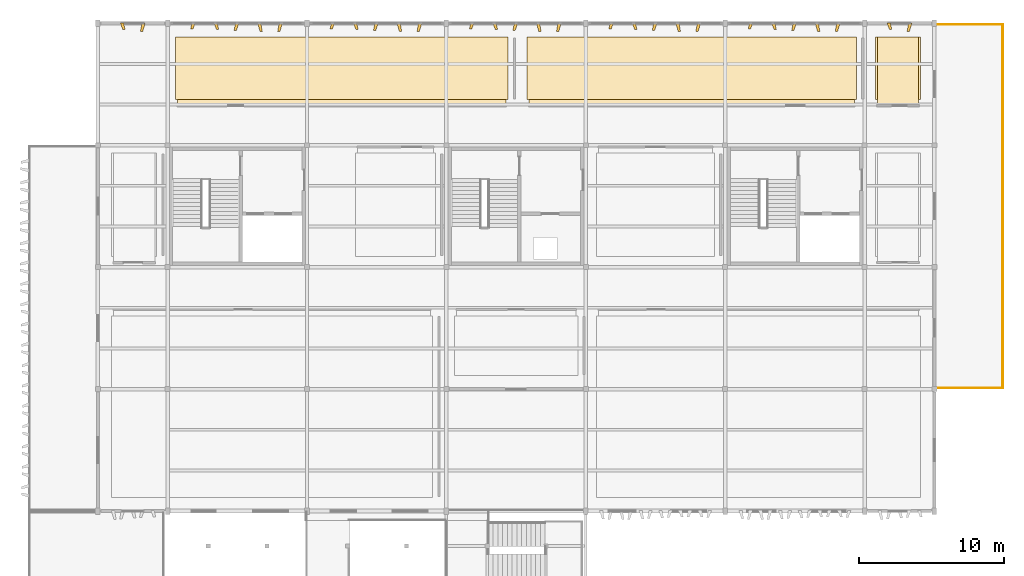
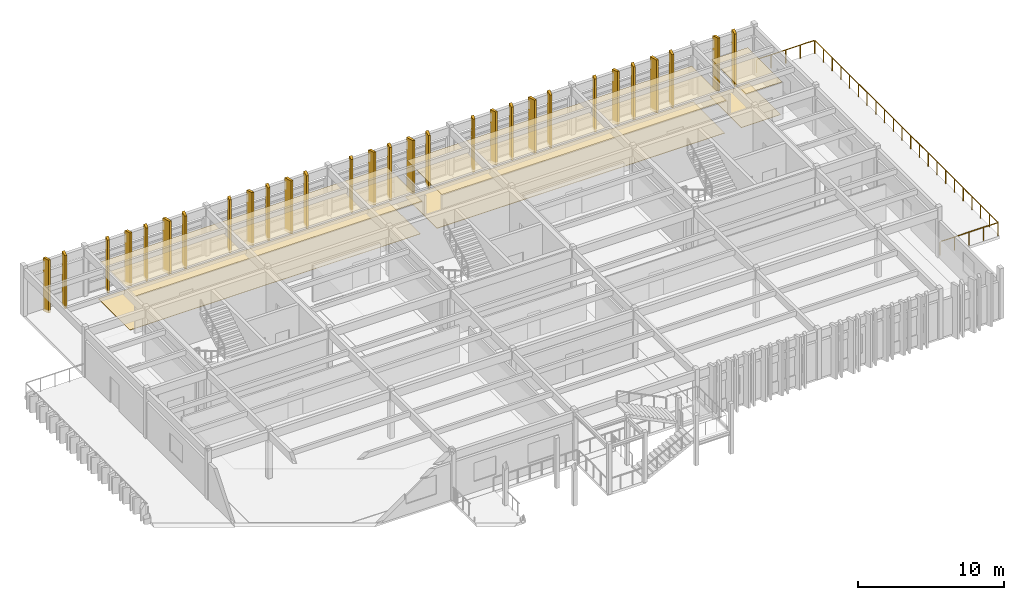
# One storey, part 14 of 14: 35 coverings, 3 railings.
"""IFC4 building model written with IfcOpenShell, lengths in metres."""

from ifc_helpers import new_model, si_unit, direction, frame, origin, origin_2d, place, context, subcontext, project, spatial, polyline, circle, outline, extrude, material, layer, layer_set, type_object, element, save


model = new_model("IFC4")

# Units and contexts
model_context = context("Model", 3, precision=1e-05, world=origin(), true_north=direction((0.0, 1.0)))
body_context = subcontext(model_context, "Body", "Model", "MODEL_VIEW")
ifc_project = project(units=[si_unit("LENGTHUNIT", "METRE"), si_unit("AREAUNIT", "SQUARE_METRE"), si_unit("VOLUMEUNIT", "CUBIC_METRE"), si_unit("PLANEANGLEUNIT", "RADIAN"), si_unit("MASSUNIT", "GRAM", prefix="KILO")], contexts=[model_context])

# Site, building, storey
site_placement = place(None, origin())
site = spatial("IfcSite", under=ifc_project, at=site_placement, CompositionType="ELEMENT")
building_placement = place(site_placement, origin())
building = spatial("IfcBuilding", under=site, at=building_placement, Name="Kolvemor Railside Polytechnic", CompositionType="ELEMENT")
storey_placement = place(building_placement, frame((0.0, 0.0, 22.800048828125)))
storey = spatial("IfcBuildingStorey", under=building, at=storey_placement, Name="L05", CompositionType="ELEMENT", Elevation=22.800048828125)

# Coverings
ifc_material_1 = material(Name="Perforated acoustic mineral-fibre and timber-slat ceiling", Category="wood")
ifc_layer_1 = layer(ifc_material_1, 0.030029296875, Name="COV-CEIL-2")
ifc_layer_set_1 = layer_set([ifc_layer_1], Name="Perforated acoustic mineral-fibre and timber-slat ceiling")
covering_type_1 = type_object("IfcCoveringType", Name="COV-CEIL-2", PredefinedType="CEILING", material=ifc_layer_set_1)
covering_1_placement = place(storey_placement, frame((0.0, 0.0, 3.02001953125)))
element("IfcCovering", 1, at=covering_1_placement, inside=storey, type_object=covering_type_1, Name="Graduate Research Fellows Write-Up Room Acoustic Ceiling", PredefinedType="CEILING", context=body_context, shape_type="SweptSolid", body=[
    extrude(outline(polyline([(116.080078125, 32.719970703125), (118.919921875, 32.719970703125), (118.919921875, 37.449951171875), (116.080078125, 37.449951171875), (116.080078125, 32.719970703125)])), origin(), (0.0, 0.0, 1.0), 0.030029296875),
])
ifc_material_2 = material(Name="Perforated acoustic mineral-fibre and timber-slat ceiling", Category="wood")
ifc_layer_2 = layer(ifc_material_2, 0.034912109375, Name="COV-CEIL-3")
ifc_layer_set_2 = layer_set([ifc_layer_2], Name="Perforated acoustic mineral-fibre and timber-slat ceiling")
covering_type_2 = type_object("IfcCoveringType", Name="COV-CEIL-3", PredefinedType="CEILING", material=ifc_layer_set_2)
covering_2_placement = place(storey_placement, frame((0.0, 0.0, 3.014892578125)))
element("IfcCovering", 2, at=covering_2_placement, inside=storey, type_object=covering_type_2, Name="Seminar Room 502 Acoustic Ceiling", PredefinedType="CEILING", context=body_context, shape_type="SweptSolid", body=[
    extrude(outline(polyline([(67.8798828125, 32.719970703125), (90.52001953125, 32.719970703125), (90.52001953125, 37.449951171875), (67.8798828125, 37.449951171875), (67.8798828125, 32.719970703125)])), origin(), (0.0, 0.0, 1.0), 0.03515625),
])
ifc_material_3 = material(Name="Perforated acoustic mineral-fibre and timber-slat ceiling", Category="wood")
ifc_layer_3 = layer(ifc_material_3, 0.0400390625, Name="COV-CEIL-4")
ifc_layer_set_3 = layer_set([ifc_layer_3], Name="Perforated acoustic mineral-fibre and timber-slat ceiling")
covering_type_3 = type_object("IfcCoveringType", Name="COV-CEIL-4", PredefinedType="CEILING", material=ifc_layer_set_3)
covering_3_placement = place(storey_placement, frame((0.0, 0.0, 3.010009765625)))
element("IfcCovering", 3, at=covering_3_placement, inside=storey, type_object=covering_type_3, Name="Materials Informatics Laboratory Acoustic Ceiling", PredefinedType="CEILING", context=body_context, shape_type="SweptSolid", body=[
    extrude(outline(polyline([(92.080078125, 32.719970703125), (114.52001953125, 32.719970703125), (114.52001953125, 37.449951171875), (92.080078125, 37.449951171875), (92.080078125, 32.719970703125)])), origin(), (0.0, 0.0, 1.0), 0.0400390625),
])
ifc_material_4 = material(Name="Sea-mist PVDF-anodised marine aluminium 5052-H32", Category="aluminium")
ifc_layer_4 = layer(ifc_material_4, 0.159912109375, Name="COV-FIN-MIST")
ifc_layer_set_4 = layer_set([ifc_layer_4], Name="Sea-mist PVDF-anodised marine aluminium 5052-H32")
covering_type_4 = type_object("IfcCoveringType", Name="COV-FIN-MIST", PredefinedType="CLADDING", material=ifc_layer_set_4)
covering_4_placement = place(storey_placement, frame((0.0, 0.0, -0.22998046875)))
element("IfcCovering", 4, at=covering_4_placement, inside=storey, type_object=covering_type_4, Name="Pleated Solar Fin L05-0590", PredefinedType="CLADDING", context=body_context, shape_type="SweptSolid", body=[
    extrude(outline(polyline([(65.6650390625, 38.43505859375), (65.43505859375, 38.43505859375), (65.330078125, 37.847900390625), (65.489990234375, 37.847900390625), (65.6650390625, 38.43505859375)])), origin(), (0.0, 0.0, 1.0), 4.429931640625),
])
covering_5_placement = place(storey_placement, frame((0.0, 0.0, -0.22998046875)))
element("IfcCovering", 5, at=covering_5_placement, inside=storey, type_object=covering_type_4, Name="Pleated Solar Fin L05-0591", PredefinedType="CLADDING", context=body_context, shape_type="SweptSolid", body=[
    extrude(outline(polyline([(64.1650390625, 38.43505859375), (63.93505859375, 38.43505859375), (64.110107421875, 37.98193359375), (64.27001953125, 37.98193359375), (64.1650390625, 38.43505859375)])), origin(), (0.0, 0.0, 1.0), 4.429931640625),
])
covering_6_placement = place(storey_placement, frame((0.0, 0.0, -0.22998046875)))
element("IfcCovering", 6, at=covering_6_placement, inside=storey, type_object=covering_type_4, Name="Pleated Solar Fin L05-0592", PredefinedType="CLADDING", context=body_context, shape_type="SweptSolid", body=[
    extrude(outline(polyline([(75.114990234375, 38.43505859375), (74.885009765625, 38.43505859375), (74.780029296875, 37.841064453125), (74.93994140625, 37.841064453125), (75.114990234375, 38.43505859375)])), origin(), (0.0, 0.0, 1.0), 4.429931640625),
])
covering_7_placement = place(storey_placement, frame((0.0, 0.0, -0.22998046875)))
element("IfcCovering", 7, at=covering_7_placement, inside=storey, type_object=covering_type_4, Name="Pleated Solar Fin L05-0593", PredefinedType="CLADDING", context=body_context, shape_type="SweptSolid", body=[
    extrude(outline(polyline([(73.614990234375, 38.43505859375), (73.385009765625, 38.43505859375), (73.56005859375, 37.847900390625), (73.719970703125, 37.847900390625), (73.614990234375, 38.43505859375)])), origin(), (0.0, 0.0, 1.0), 4.429931640625),
])
covering_8_placement = place(storey_placement, frame((0.0, 0.0, -0.22998046875)))
element("IfcCovering", 8, at=covering_8_placement, inside=storey, type_object=covering_type_4, Name="Pleated Solar Fin L05-0594", PredefinedType="CLADDING", context=body_context, shape_type="SweptSolid", body=[
    extrude(outline(polyline([(72.114990234375, 38.43505859375), (71.885009765625, 38.43505859375), (71.780029296875, 37.9150390625), (71.93994140625, 37.9150390625), (72.114990234375, 38.43505859375)])), origin(), (0.0, 0.0, 1.0), 4.429931640625),
])
covering_9_placement = place(storey_placement, frame((0.0, 0.0, -0.22998046875)))
element("IfcCovering", 9, at=covering_9_placement, inside=storey, type_object=covering_type_4, Name="Pleated Solar Fin L05-0595", PredefinedType="CLADDING", context=body_context, shape_type="SweptSolid", body=[
    extrude(outline(polyline([(70.614990234375, 38.43505859375), (70.385009765625, 38.43505859375), (70.56005859375, 37.98193359375), (70.719970703125, 37.98193359375), (70.614990234375, 38.43505859375)])), origin(), (0.0, 0.0, 1.0), 4.429931640625),
])
covering_10_placement = place(storey_placement, frame((0.0, 0.0, -0.22998046875)))
element("IfcCovering", 10, at=covering_10_placement, inside=storey, type_object=covering_type_4, Name="Pleated Solar Fin L05-0596", PredefinedType="CLADDING", context=body_context, shape_type="SweptSolid", body=[
    extrude(outline(polyline([(69.114990234375, 38.43505859375), (68.885009765625, 38.43505859375), (68.780029296875, 37.989013671875), (68.93994140625, 37.989013671875), (69.114990234375, 38.43505859375)])), origin(), (0.0, 0.0, 1.0), 4.429931640625),
])
covering_11_placement = place(storey_placement, frame((0.0, 0.0, -0.22998046875)))
element("IfcCovering", 11, at=covering_11_placement, inside=storey, type_object=covering_type_4, Name="Pleated Solar Fin L05-0597", PredefinedType="CLADDING", context=body_context, shape_type="SweptSolid", body=[
    extrude(outline(polyline([(84.715087890625, 38.43505859375), (84.485107421875, 38.43505859375), (84.3798828125, 37.841064453125), (84.5400390625, 37.841064453125), (84.715087890625, 38.43505859375)])), origin(), (0.0, 0.0, 1.0), 4.429931640625),
])
covering_12_placement = place(storey_placement, frame((0.0, 0.0, -0.22998046875)))
element("IfcCovering", 12, at=covering_12_placement, inside=storey, type_object=covering_type_4, Name="Pleated Solar Fin L05-0598", PredefinedType="CLADDING", context=body_context, shape_type="SweptSolid", body=[
    extrude(outline(polyline([(83.215087890625, 38.43505859375), (82.985107421875, 38.43505859375), (83.159912109375, 37.847900390625), (83.320068359375, 37.847900390625), (83.215087890625, 38.43505859375)])), origin(), (0.0, 0.0, 1.0), 4.429931640625),
])
covering_13_placement = place(storey_placement, frame((0.0, 0.0, -0.22998046875)))
element("IfcCovering", 13, at=covering_13_placement, inside=storey, type_object=covering_type_4, Name="Pleated Solar Fin L05-0599", PredefinedType="CLADDING", context=body_context, shape_type="SweptSolid", body=[
    extrude(outline(polyline([(81.715087890625, 38.43505859375), (81.485107421875, 38.43505859375), (81.3798828125, 37.9150390625), (81.5400390625, 37.9150390625), (81.715087890625, 38.43505859375)])), origin(), (0.0, 0.0, 1.0), 4.429931640625),
])
covering_14_placement = place(storey_placement, frame((0.0, 0.0, -0.22998046875)))
element("IfcCovering", 14, at=covering_14_placement, inside=storey, type_object=covering_type_4, Name="Pleated Solar Fin L05-0600", PredefinedType="CLADDING", context=body_context, shape_type="SweptSolid", body=[
    extrude(outline(polyline([(80.215087890625, 38.43505859375), (79.985107421875, 38.43505859375), (80.159912109375, 37.98193359375), (80.320068359375, 37.98193359375), (80.215087890625, 38.43505859375)])), origin(), (0.0, 0.0, 1.0), 4.429931640625),
])
covering_15_placement = place(storey_placement, frame((0.0, 0.0, -0.22998046875)))
element("IfcCovering", 15, at=covering_15_placement, inside=storey, type_object=covering_type_4, Name="Pleated Solar Fin L05-0601", PredefinedType="CLADDING", context=body_context, shape_type="SweptSolid", body=[
    extrude(outline(polyline([(78.715087890625, 38.43505859375), (78.485107421875, 38.43505859375), (78.3798828125, 37.989013671875), (78.5400390625, 37.989013671875), (78.715087890625, 38.43505859375)])), origin(), (0.0, 0.0, 1.0), 4.429931640625),
])
covering_16_placement = place(storey_placement, frame((0.0, 0.0, -0.22998046875)))
element("IfcCovering", 16, at=covering_16_placement, inside=storey, type_object=covering_type_4, Name="Pleated Solar Fin L05-0602", PredefinedType="CLADDING", context=body_context, shape_type="SweptSolid", body=[
    extrude(outline(polyline([(94.31494140625, 38.43505859375), (94.0849609375, 38.43505859375), (93.97998046875, 37.841064453125), (94.139892578125, 37.841064453125), (94.31494140625, 38.43505859375)])), origin(), (0.0, 0.0, 1.0), 4.429931640625),
])
covering_17_placement = place(storey_placement, frame((0.0, 0.0, -0.22998046875)))
element("IfcCovering", 17, at=covering_17_placement, inside=storey, type_object=covering_type_4, Name="Pleated Solar Fin L05-0603", PredefinedType="CLADDING", context=body_context, shape_type="SweptSolid", body=[
    extrude(outline(polyline([(92.81494140625, 38.43505859375), (92.5849609375, 38.43505859375), (92.760009765625, 37.847900390625), (92.919921875, 37.847900390625), (92.81494140625, 38.43505859375)])), origin(), (0.0, 0.0, 1.0), 4.429931640625),
])
covering_18_placement = place(storey_placement, frame((0.0, 0.0, -0.22998046875)))
element("IfcCovering", 18, at=covering_18_placement, inside=storey, type_object=covering_type_4, Name="Pleated Solar Fin L05-0604", PredefinedType="CLADDING", context=body_context, shape_type="SweptSolid", body=[
    extrude(outline(polyline([(91.31494140625, 38.43505859375), (91.0849609375, 38.43505859375), (90.97998046875, 37.9150390625), (91.139892578125, 37.9150390625), (91.31494140625, 38.43505859375)])), origin(), (0.0, 0.0, 1.0), 4.429931640625),
])
covering_19_placement = place(storey_placement, frame((0.0, 0.0, -0.22998046875)))
element("IfcCovering", 19, at=covering_19_placement, inside=storey, type_object=covering_type_4, Name="Pleated Solar Fin L05-0605", PredefinedType="CLADDING", context=body_context, shape_type="SweptSolid", body=[
    extrude(outline(polyline([(89.81494140625, 38.43505859375), (89.5849609375, 38.43505859375), (89.760009765625, 37.98193359375), (89.919921875, 37.98193359375), (89.81494140625, 38.43505859375)])), origin(), (0.0, 0.0, 1.0), 4.429931640625),
])
covering_20_placement = place(storey_placement, frame((0.0, 0.0, -0.22998046875)))
element("IfcCovering", 20, at=covering_20_placement, inside=storey, type_object=covering_type_4, Name="Pleated Solar Fin L05-0606", PredefinedType="CLADDING", context=body_context, shape_type="SweptSolid", body=[
    extrude(outline(polyline([(88.31494140625, 38.43505859375), (88.0849609375, 38.43505859375), (87.97998046875, 37.989013671875), (88.139892578125, 37.989013671875), (88.31494140625, 38.43505859375)])), origin(), (0.0, 0.0, 1.0), 4.429931640625),
])
covering_21_placement = place(storey_placement, frame((0.0, 0.0, -0.22998046875)))
element("IfcCovering", 21, at=covering_21_placement, inside=storey, type_object=covering_type_4, Name="Pleated Solar Fin L05-0607", PredefinedType="CLADDING", context=body_context, shape_type="SweptSolid", body=[
    extrude(outline(polyline([(103.9150390625, 38.43505859375), (103.68505859375, 38.43505859375), (103.580078125, 37.841064453125), (103.739990234375, 37.841064453125), (103.9150390625, 38.43505859375)])), origin(), (0.0, 0.0, 1.0), 4.429931640625),
])
covering_22_placement = place(storey_placement, frame((0.0, 0.0, -0.22998046875)))
element("IfcCovering", 22, at=covering_22_placement, inside=storey, type_object=covering_type_4, Name="Pleated Solar Fin L05-0608", PredefinedType="CLADDING", context=body_context, shape_type="SweptSolid", body=[
    extrude(outline(polyline([(102.4150390625, 38.43505859375), (102.18505859375, 38.43505859375), (102.360107421875, 37.847900390625), (102.52001953125, 37.847900390625), (102.4150390625, 38.43505859375)])), origin(), (0.0, 0.0, 1.0), 4.429931640625),
])
covering_23_placement = place(storey_placement, frame((0.0, 0.0, -0.22998046875)))
element("IfcCovering", 23, at=covering_23_placement, inside=storey, type_object=covering_type_4, Name="Pleated Solar Fin L05-0609", PredefinedType="CLADDING", context=body_context, shape_type="SweptSolid", body=[
    extrude(outline(polyline([(100.9150390625, 38.43505859375), (100.68505859375, 38.43505859375), (100.580078125, 37.9150390625), (100.739990234375, 37.9150390625), (100.9150390625, 38.43505859375)])), origin(), (0.0, 0.0, 1.0), 4.429931640625),
])
covering_24_placement = place(storey_placement, frame((0.0, 0.0, -0.22998046875)))
element("IfcCovering", 24, at=covering_24_placement, inside=storey, type_object=covering_type_4, Name="Pleated Solar Fin L05-0610", PredefinedType="CLADDING", context=body_context, shape_type="SweptSolid", body=[
    extrude(outline(polyline([(99.4150390625, 38.43505859375), (99.18505859375, 38.43505859375), (99.360107421875, 37.98193359375), (99.52001953125, 37.98193359375), (99.4150390625, 38.43505859375)])), origin(), (0.0, 0.0, 1.0), 4.429931640625),
])
covering_25_placement = place(storey_placement, frame((0.0, 0.0, -0.22998046875)))
element("IfcCovering", 25, at=covering_25_placement, inside=storey, type_object=covering_type_4, Name="Pleated Solar Fin L05-0611", PredefinedType="CLADDING", context=body_context, shape_type="SweptSolid", body=[
    extrude(outline(polyline([(97.9150390625, 38.43505859375), (97.68505859375, 38.43505859375), (97.580078125, 37.989013671875), (97.739990234375, 37.989013671875), (97.9150390625, 38.43505859375)])), origin(), (0.0, 0.0, 1.0), 4.429931640625),
])
covering_26_placement = place(storey_placement, frame((0.0, 0.0, -0.22998046875)))
element("IfcCovering", 26, at=covering_26_placement, inside=storey, type_object=covering_type_4, Name="Pleated Solar Fin L05-0612", PredefinedType="CLADDING", context=body_context, shape_type="SweptSolid", body=[
    extrude(outline(polyline([(113.514892578125, 38.43505859375), (113.284912109375, 38.43505859375), (113.179931640625, 37.841064453125), (113.340087890625, 37.841064453125), (113.514892578125, 38.43505859375)])), origin(), (0.0, 0.0, 1.0), 4.429931640625),
])
covering_27_placement = place(storey_placement, frame((0.0, 0.0, -0.22998046875)))
element("IfcCovering", 27, at=covering_27_placement, inside=storey, type_object=covering_type_4, Name="Pleated Solar Fin L05-0613", PredefinedType="CLADDING", context=body_context, shape_type="SweptSolid", body=[
    extrude(outline(polyline([(112.014892578125, 38.43505859375), (111.784912109375, 38.43505859375), (111.9599609375, 37.847900390625), (112.1201171875, 37.847900390625), (112.014892578125, 38.43505859375)])), origin(), (0.0, 0.0, 1.0), 4.429931640625),
])
covering_28_placement = place(storey_placement, frame((0.0, 0.0, -0.22998046875)))
element("IfcCovering", 28, at=covering_28_placement, inside=storey, type_object=covering_type_4, Name="Pleated Solar Fin L05-0614", PredefinedType="CLADDING", context=body_context, shape_type="SweptSolid", body=[
    extrude(outline(polyline([(110.514892578125, 38.43505859375), (110.284912109375, 38.43505859375), (110.179931640625, 37.9150390625), (110.340087890625, 37.9150390625), (110.514892578125, 38.43505859375)])), origin(), (0.0, 0.0, 1.0), 4.429931640625),
])
covering_29_placement = place(storey_placement, frame((0.0, 0.0, -0.22998046875)))
element("IfcCovering", 29, at=covering_29_placement, inside=storey, type_object=covering_type_4, Name="Pleated Solar Fin L05-0615", PredefinedType="CLADDING", context=body_context, shape_type="SweptSolid", body=[
    extrude(outline(polyline([(109.014892578125, 38.43505859375), (108.784912109375, 38.43505859375), (108.9599609375, 37.98193359375), (109.1201171875, 37.98193359375), (109.014892578125, 38.43505859375)])), origin(), (0.0, 0.0, 1.0), 4.429931640625),
])
covering_30_placement = place(storey_placement, frame((0.0, 0.0, -0.22998046875)))
element("IfcCovering", 30, at=covering_30_placement, inside=storey, type_object=covering_type_4, Name="Pleated Solar Fin L05-0616", PredefinedType="CLADDING", context=body_context, shape_type="SweptSolid", body=[
    extrude(outline(polyline([(107.514892578125, 38.43505859375), (107.284912109375, 38.43505859375), (107.179931640625, 37.989013671875), (107.340087890625, 37.989013671875), (107.514892578125, 38.43505859375)])), origin(), (0.0, 0.0, 1.0), 4.429931640625),
])
covering_31_placement = place(storey_placement, frame((0.0, 0.0, -0.22998046875)))
element("IfcCovering", 31, at=covering_31_placement, inside=storey, type_object=covering_type_4, Name="Pleated Solar Fin L05-0617", PredefinedType="CLADDING", context=body_context, shape_type="SweptSolid", body=[
    extrude(outline(polyline([(118.465087890625, 38.43505859375), (118.235107421875, 38.43505859375), (118.1298828125, 37.847900390625), (118.2900390625, 37.847900390625), (118.465087890625, 38.43505859375)])), origin(), (0.0, 0.0, 1.0), 4.429931640625),
])
covering_32_placement = place(storey_placement, frame((0.0, 0.0, -0.22998046875)))
element("IfcCovering", 32, at=covering_32_placement, inside=storey, type_object=covering_type_4, Name="Pleated Solar Fin L05-0618", PredefinedType="CLADDING", context=body_context, shape_type="SweptSolid", body=[
    extrude(outline(polyline([(116.965087890625, 38.43505859375), (116.735107421875, 38.43505859375), (116.909912109375, 37.98193359375), (117.070068359375, 37.98193359375), (116.965087890625, 38.43505859375)])), origin(), (0.0, 0.0, 1.0), 4.429931640625),
])
ifc_material_5 = material(Name="Polished coral-aggregate terrazzo and laboratory epoxy flooring")
ifc_layer_5 = layer(ifc_material_5, 0.02490234375, Name="COV-FLR-2")
ifc_layer_set_5 = layer_set([ifc_layer_5], Name="Polished coral-aggregate terrazzo and laboratory epoxy flooring")
covering_type_5 = type_object("IfcCoveringType", Name="COV-FLR-2", PredefinedType="FLOORING", material=ifc_layer_set_5)
covering_33_placement = place(storey_placement, origin())
element("IfcCovering", 33, at=covering_33_placement, inside=storey, type_object=covering_type_5, Name="Graduate Research Fellows Write-Up Room Floor Finish", PredefinedType="FLOORING", context=body_context, shape_type="SweptSolid", body=[
    extrude(outline(polyline([(115.949951171875, 33.14990234375), (119.050048828125, 33.14990234375), (119.050048828125, 37.449951171875), (115.949951171875, 37.449951171875), (115.949951171875, 33.14990234375)])), origin(), (0.0, 0.0, 1.0), 0.02490234375),
])
ifc_material_6 = material(Name="Polished coral-aggregate terrazzo and laboratory epoxy flooring")
ifc_layer_6 = layer(ifc_material_6, 0.030029296875, Name="COV-FLR-3")
ifc_layer_set_6 = layer_set([ifc_layer_6], Name="Polished coral-aggregate terrazzo and laboratory epoxy flooring")
covering_type_6 = type_object("IfcCoveringType", Name="COV-FLR-3", PredefinedType="FLOORING", material=ifc_layer_set_6)
covering_34_placement = place(storey_placement, origin())
element("IfcCovering", 34, at=covering_34_placement, inside=storey, type_object=covering_type_6, Name="Seminar Room 502 Floor Finish", PredefinedType="FLOORING", context=body_context, shape_type="SweptSolid", body=[
    extrude(outline(polyline([(67.75, 33.14990234375), (90.64990234375, 33.14990234375), (90.64990234375, 37.449951171875), (67.75, 37.449951171875), (67.75, 33.14990234375)])), origin(), (0.0, 0.0, 1.0), 0.030029296875),
])
ifc_material_7 = material(Name="Polished coral-aggregate terrazzo and laboratory epoxy flooring")
ifc_layer_7 = layer(ifc_material_7, 0.034912109375, Name="COV-FLR-4")
ifc_layer_set_7 = layer_set([ifc_layer_7], Name="Polished coral-aggregate terrazzo and laboratory epoxy flooring")
covering_type_7 = type_object("IfcCoveringType", Name="COV-FLR-4", PredefinedType="FLOORING", material=ifc_layer_set_7)
covering_35_placement = place(storey_placement, origin())
element("IfcCovering", 35, at=covering_35_placement, inside=storey, type_object=covering_type_7, Name="Materials Informatics Laboratory Floor Finish", PredefinedType="FLOORING", context=body_context, shape_type="SweptSolid", body=[
    extrude(outline(polyline([(91.949951171875, 33.14990234375), (114.64990234375, 33.14990234375), (114.64990234375, 37.449951171875), (91.949951171875, 37.449951171875), (91.949951171875, 33.14990234375)])), origin(), (0.0, 0.0, 1.0), 0.034912109375),
])

# Railings
ifc_material_8 = material(Name="AISI 316 marine stainless-steel balustrade guard", Category="steel")
railing_type = type_object("IfcRailingType", Name="RLG-GUARD-1120", PredefinedType="BALUSTRADE", material=ifc_material_8)
railing_1_placement = place(storey_placement, frame((120.139892578125, 13.280029296875, 0.0)))
element("IfcRailing", 36, at=railing_1_placement, inside=storey, type_object=railing_type, Name="Corner Study Terrace L05-E S Guard GR-039", PredefinedType="BALUSTRADE", context=body_context, shape_type="SweptSolid", body=[
    extrude(circle(Radius=0.02392578125, at=origin_2d()), frame((0.054931640625, 0.0, 1.09619140625), z_axis=(1.0, 0.0, 0.0), x_axis=(0.0, 1.0, 0.0)), (0.0, 0.0, 1.0), 4.469970703125),
    extrude(circle(Radius=0.02099609375, at=origin_2d()), origin(), (0.0, 0.0, 1.0), 1.05712890625),
    extrude(circle(Radius=0.02099609375, at=origin_2d()), frame((1.14501953125, 0.0, 0.0)), (0.0, 0.0, 1.0), 1.05712890625),
    extrude(circle(Radius=0.02099609375, at=origin_2d()), frame((2.2900390625, 0.0, 0.0)), (0.0, 0.0, 1.0), 1.05712890625),
    extrude(circle(Radius=0.02099609375, at=origin_2d()), frame((3.43505859375, 0.0, 0.0)), (0.0, 0.0, 1.0), 1.05712890625),
    extrude(circle(Radius=0.02099609375, at=origin_2d()), frame((4.580078125, 0.0, 0.0)), (0.0, 0.0, 1.0), 1.05712890625),
])
railing_2_placement = place(storey_placement, frame((124.719970703125, 13.280029296875, 0.0)))
element("IfcRailing", 37, at=railing_2_placement, inside=storey, type_object=railing_type, Name="Corner Study Terrace L05-E E Guard GR-040", PredefinedType="BALUSTRADE", context=body_context, shape_type="SweptSolid", body=[
    extrude(circle(Radius=0.02392578125, at=origin_2d()), frame((0.0, 0.054931640625, 1.09619140625), z_axis=(0.0, 1.0, 0.0), x_axis=(-1.0, 0.0, 0.0)), (0.0, 0.0, 1.0), 24.929931640625),
    extrude(circle(Radius=0.02099609375, at=origin_2d()), origin(), (0.0, 0.0, 1.0), 1.05712890625),
    extrude(circle(Radius=0.02099609375, at=origin_2d()), frame((0.0, 1.1923828125, 0.0)), (0.0, 0.0, 1.0), 1.05712890625),
    extrude(circle(Radius=0.02099609375, at=origin_2d()), frame((0.0, 2.384765625, 0.0)), (0.0, 0.0, 1.0), 1.05712890625),
    extrude(circle(Radius=0.02099609375, at=origin_2d()), frame((0.0, 3.5771484375, 0.0)), (0.0, 0.0, 1.0), 1.05712890625),
    extrude(circle(Radius=0.02099609375, at=origin_2d()), frame((0.0, 4.76953125, 0.0)), (0.0, 0.0, 1.0), 1.05712890625),
    extrude(circle(Radius=0.02099609375, at=origin_2d()), frame((0.0, 5.9619140625, 0.0)), (0.0, 0.0, 1.0), 1.05712890625),
    extrude(circle(Radius=0.02099609375, at=origin_2d()), frame((0.0, 7.154296875, 0.0)), (0.0, 0.0, 1.0), 1.05712890625),
    extrude(circle(Radius=0.02099609375, at=origin_2d()), frame((0.0, 8.3466796875, 0.0)), (0.0, 0.0, 1.0), 1.05712890625),
    extrude(circle(Radius=0.02099609375, at=origin_2d()), frame((0.0, 9.5390625, 0.0)), (0.0, 0.0, 1.0), 1.05712890625),
    extrude(circle(Radius=0.02099609375, at=origin_2d()), frame((0.0, 10.7314453125, 0.0)), (0.0, 0.0, 1.0), 1.05712890625),
    extrude(circle(Radius=0.02099609375, at=origin_2d()), frame((0.0, 11.923828125, 0.0)), (0.0, 0.0, 1.0), 1.05712890625),
    extrude(circle(Radius=0.02099609375, at=origin_2d()), frame((0.0, 13.1162109375, 0.0)), (0.0, 0.0, 1.0), 1.05712890625),
    extrude(circle(Radius=0.02099609375, at=origin_2d()), frame((0.0, 14.30859375, 0.0)), (0.0, 0.0, 1.0), 1.05712890625),
    extrude(circle(Radius=0.02099609375, at=origin_2d()), frame((0.0, 15.5009765625, 0.0)), (0.0, 0.0, 1.0), 1.05712890625),
    extrude(circle(Radius=0.02099609375, at=origin_2d()), frame((0.0, 16.693359375, 0.0)), (0.0, 0.0, 1.0), 1.05712890625),
    extrude(circle(Radius=0.02099609375, at=origin_2d()), frame((0.0, 17.8857421875, 0.0)), (0.0, 0.0, 1.0), 1.05712890625),
    extrude(circle(Radius=0.02099609375, at=origin_2d()), frame((0.0, 19.078125, 0.0)), (0.0, 0.0, 1.0), 1.05712890625),
    extrude(circle(Radius=0.02099609375, at=origin_2d()), frame((0.0, 20.2705078125, 0.0)), (0.0, 0.0, 1.0), 1.05712890625),
    extrude(circle(Radius=0.02099609375, at=origin_2d()), frame((0.0, 21.462890625, 0.0)), (0.0, 0.0, 1.0), 1.05712890625),
    extrude(circle(Radius=0.02099609375, at=origin_2d()), frame((0.0, 22.6552734375, 0.0)), (0.0, 0.0, 1.0), 1.05712890625),
    extrude(circle(Radius=0.02099609375, at=origin_2d()), frame((0.0, 23.84765625, 0.0)), (0.0, 0.0, 1.0), 1.05712890625),
    extrude(circle(Radius=0.02099609375, at=origin_2d()), frame((0.0, 25.0400390625, 0.0)), (0.0, 0.0, 1.0), 1.05712890625),
])
railing_3_placement = place(storey_placement, frame((124.719970703125, 38.320068359375, 0.0)))
element("IfcRailing", 38, at=railing_3_placement, inside=storey, type_object=railing_type, Name="Corner Study Terrace L05-E N Guard GR-041", PredefinedType="BALUSTRADE", context=body_context, shape_type="SweptSolid", body=[
    extrude(circle(Radius=0.02392578125, at=origin_2d()), frame((-0.054931640625, 0.0, 1.09619140625), z_axis=(-1.0, 0.0, 0.0), x_axis=(0.0, -1.0, 0.0)), (0.0, 0.0, 1.0), 4.469970703125),
    extrude(circle(Radius=0.02099609375, at=origin_2d()), origin(), (0.0, 0.0, 1.0), 1.05712890625),
    extrude(circle(Radius=0.02099609375, at=origin_2d()), frame((-1.14501953125, 0.0, 0.0)), (0.0, 0.0, 1.0), 1.05712890625),
    extrude(circle(Radius=0.02099609375, at=origin_2d()), frame((-2.2900390625, 0.0, 0.0)), (0.0, 0.0, 1.0), 1.05712890625),
    extrude(circle(Radius=0.02099609375, at=origin_2d()), frame((-3.43505859375, 0.0, 0.0)), (0.0, 0.0, 1.0), 1.05712890625),
    extrude(circle(Radius=0.02099609375, at=origin_2d()), frame((-4.580078125, 0.0, 0.0)), (0.0, 0.0, 1.0), 1.05712890625),
])

save(model, "model.ifc")
